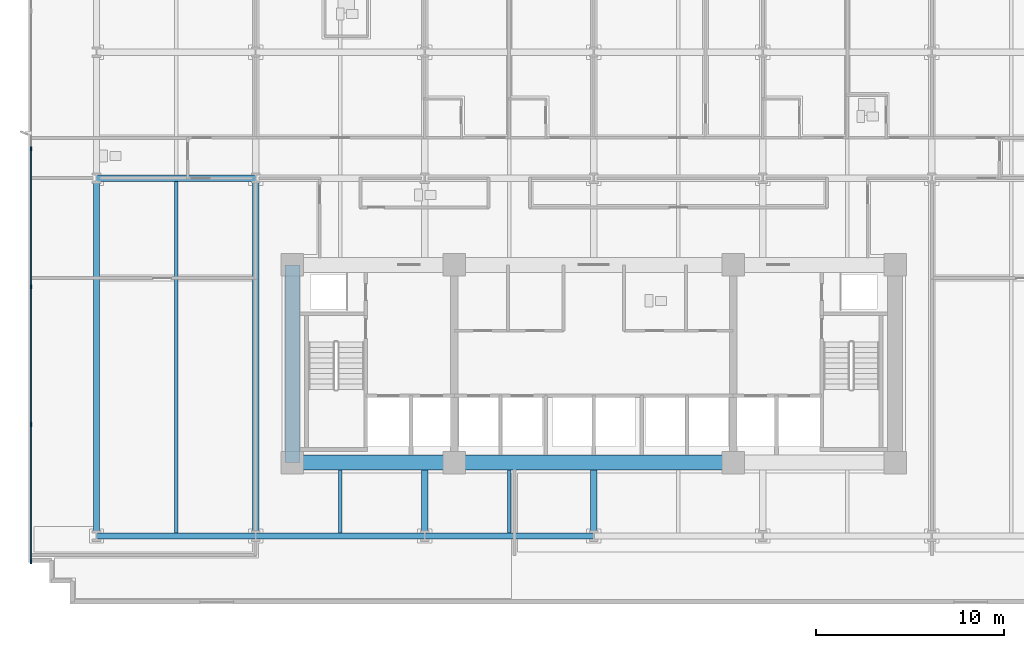
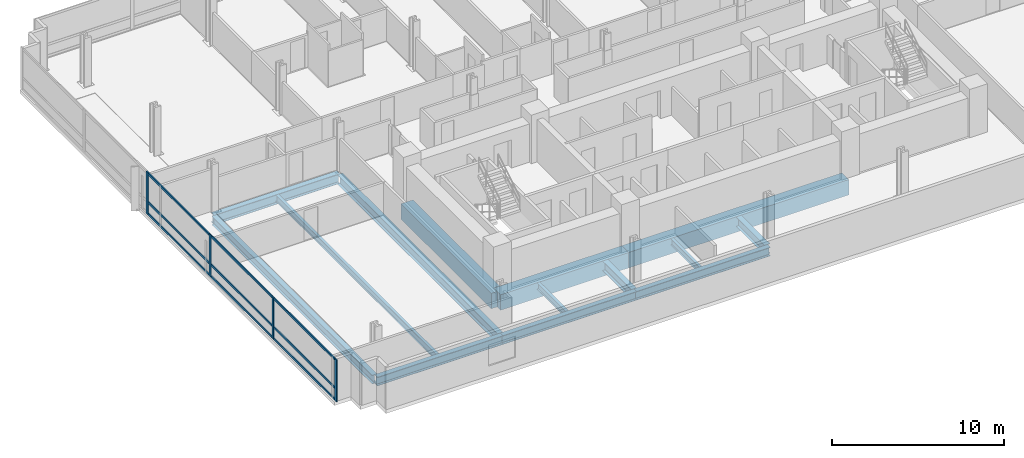
# One storey, part 2 of 15: 14 beams, 13 members, 1 element without a shape of its own.
"""IFC4 building model written with IfcOpenShell, lengths in metres."""

from ifc_helpers import new_model, si_unit, direction, frame, origin, origin_2d, place, context, subcontext, project, spatial, rectangle, i_section, extrude, material, material_profile, profile_set, type_object, element, aggregate, save


model = new_model("IFC4")

# Units and contexts
model_context = context("Model", 3, precision=1e-05, world=origin(), true_north=direction((0.0, 1.0)))
body_context = subcontext(model_context, "Body", "Model", "MODEL_VIEW")
ifc_project = project(units=[si_unit("LENGTHUNIT", "METRE"), si_unit("AREAUNIT", "SQUARE_METRE"), si_unit("VOLUMEUNIT", "CUBIC_METRE"), si_unit("PLANEANGLEUNIT", "RADIAN"), si_unit("MASSUNIT", "GRAM", prefix="KILO")], contexts=[model_context])

# Site, building, storey
site_placement = place(None, origin())
site = spatial("IfcSite", under=ifc_project, at=site_placement, CompositionType="ELEMENT")
building_placement = place(site_placement, origin())
building = spatial("IfcBuilding", under=site, at=building_placement, Name="Solmavex Isthmus Hotel", CompositionType="ELEMENT")
storey_placement = place(building_placement, frame((0.0, 0.0, 71.25)))
storey = spatial("IfcBuildingStorey", under=building, at=storey_placement, Name="L19", CompositionType="ELEMENT", Elevation=71.25)

# Beams
ifc_material_1 = material(Name="Steel ASTM A992 Grade 50", Category="steel")
ifc_material_profile_1 = material_profile(ifc_material_1, i_section(OverallWidth=0.354736328125, OverallDepth=0.695556640625, WebThickness=0.015380859375, FlangeThickness=0.02490234375, FilletRadius=0.017822265625, at=origin_2d()), Name="W27X146")
ifc_profile_set_1 = profile_set([ifc_material_profile_1], Name="Steel ASTM A992 Grade 50")
beam_type_1 = type_object("IfcBeamType", Name="BM-BG-W27X146", PredefinedType="BEAM", material=ifc_profile_set_1)
beam_1_placement = place(storey_placement, frame((-26.39990234375, 2.10009765625, -0.607666015625), z_axis=(1.0, 0.0, 0.0), x_axis=(0.0, 1.0, 0.0)))
element("IfcBeam", 1, at=beam_1_placement, inside=storey, type_object=beam_type_1, Name="Floor Girder L19-UG07", PredefinedType="BEAM", context=body_context, shape_type="SweptSolid", body=[
    extrude(i_section(OverallWidth=0.354736328125, OverallDepth=0.695556640625, WebThickness=0.015380859375, FlangeThickness=0.02490234375, FilletRadius=0.017822265625, at=origin_2d()), origin(), (0.0, 0.0, 1.0), 8.447998046875),
])
beam_2_placement = place(storey_placement, frame((-17.951904296875, -16.73681640625, -0.607666015625), z_axis=(0.0, 1.0, 0.0), x_axis=(-1.0, 0.0, 0.0)))
element("IfcBeam", 2, at=beam_2_placement, inside=storey, type_object=beam_type_1, Name="Floor Beam L19-VG28", PredefinedType="BEAM", context=body_context, shape_type="SweptSolid", body=[
    extrude(i_section(OverallWidth=0.354736328125, OverallDepth=0.695556640625, WebThickness=0.015380859375, FlangeThickness=0.02490234375, FilletRadius=0.017822265625, at=origin_2d()), origin(), (0.0, 0.0, 1.0), 18.659423828125),
])
for number, where, z_axis, x_axis, name in (
    (3, (-8.97607421875, -16.73681640625, -0.607666015625), (0.0, 1.0, 0.0), (-1.0, 0.0, 0.0), "Floor Beam L19-VG31"),
    (4, (0.0, -16.73681640625, -0.607666015625), (0.0, 1.0, 0.0), (-1.0, 0.0, 0.0), "Floor Beam L19-VG35"),
):
    element("IfcBeam", number, at=place(storey_placement, frame(where, z_axis=z_axis, x_axis=x_axis)), inside=storey, type_object=beam_type_1, Name=name, PredefinedType="BEAM", context=body_context, shape_type="SweptSolid", body=[
        extrude(i_section(OverallWidth=0.354736328125, OverallDepth=0.695556640625, WebThickness=0.015380859375, FlangeThickness=0.02490234375, FilletRadius=0.017822265625, at=origin_2d()), origin(), (0.0, 0.0, 1.0), 3.3369140625),
    ])
ifc_material_profile_2 = material_profile(ifc_material_1, i_section(OverallWidth=0.1904296875, OverallDepth=0.456787109375, WebThickness=0.009033203125, FlangeThickness=0.014404296875, FilletRadius=0.0126953125, at=origin_2d()), Name="W18X50")
ifc_profile_set_2 = profile_set([ifc_material_profile_2], Name="Steel ASTM A992 Grade 50")
beam_type_2 = type_object("IfcBeamType", Name="BM-BJ-W18X50", PredefinedType="JOIST", material=ifc_profile_set_2)
beam_3_placement = place(storey_placement, frame((-22.176025390625, -16.73681640625, -0.488525390625), z_axis=(0.0, 1.0, 0.0), x_axis=(-1.0, 0.0, 0.0)))
element("IfcBeam", 5, at=beam_3_placement, inside=storey, type_object=beam_type_2, Name="Secondary Floor Joist L19-J01", PredefinedType="JOIST", context=body_context, shape_type="SweptSolid", body=[
    extrude(i_section(OverallWidth=0.1904296875, OverallDepth=0.456787109375, WebThickness=0.009033203125, FlangeThickness=0.014404296875, FilletRadius=0.0126953125, at=origin_2d()), origin(), (0.0, 0.0, 1.0), 18.659423828125),
])
for number, where, z_axis, x_axis, name in (
    (6, (-13.464111328125, -16.73681640625, -0.488525390625), (0.0, 1.0, 0.0), (-1.0, 0.0, 0.0), "Secondary Floor Joist L19-J04"),
    (7, (-4.488037109375, -16.73681640625, -0.488525390625), (0.0, 1.0, 0.0), (-1.0, 0.0, 0.0), "Secondary Floor Joist L19-J08"),
):
    element("IfcBeam", number, at=place(storey_placement, frame(where, z_axis=z_axis, x_axis=x_axis)), inside=storey, type_object=beam_type_2, Name=name, PredefinedType="JOIST", context=body_context, shape_type="SweptSolid", body=[
        extrude(i_section(OverallWidth=0.1904296875, OverallDepth=0.456787109375, WebThickness=0.009033203125, FlangeThickness=0.014404296875, FilletRadius=0.0126953125, at=origin_2d()), origin(), (0.0, 0.0, 1.0), 3.3369140625),
    ])
ifc_material_2 = material(Name="Concrete C70/85", Category="concrete")
ifc_material_profile_3 = material_profile(ifc_material_2, rectangle(XDim=0.800048828125, YDim=1.10009765625, at=origin_2d()), Name="RC800X1100")
ifc_profile_set_3 = profile_set([ifc_material_profile_3], Name="Concrete C70/85")
beam_type_3 = type_object("IfcBeamType", Name="BM-CB-800X1100", PredefinedType="BEAM", material=ifc_profile_set_3)
beam_4_placement = place(storey_placement, frame((-16.0, -13.0, -0.81005859375), z_axis=(1.0, 0.0, 0.0), x_axis=(0.0, 1.0, 0.0)))
element("IfcBeam", 8, at=beam_4_placement, inside=storey, type_object=beam_type_3, Name="Core Coupling Beam L19-CB1", PredefinedType="BEAM", context=body_context, shape_type="SweptSolid", body=[
    extrude(rectangle(XDim=0.800048828125, YDim=1.10009765625, at=origin_2d()), origin(), (0.0, 0.0, 1.0), 8.60009765625),
])
beam_5_placement = place(storey_placement, frame((-7.39990234375, -13.0, -0.81005859375), z_axis=(1.0, 0.0, 0.0), x_axis=(0.0, 1.0, 0.0)))
element("IfcBeam", 9, at=beam_5_placement, inside=storey, type_object=beam_type_3, Name="Core Coupling Beam L19-CB2", PredefinedType="BEAM", context=body_context, shape_type="SweptSolid", body=[
    extrude(rectangle(XDim=0.800048828125, YDim=1.10009765625, at=origin_2d()), origin(), (0.0, 0.0, 1.0), 14.7998046875),
])
beam_6_placement = place(storey_placement, frame((-16.0, -13.0, -0.81005859375), z_axis=(0.0, 1.0, 0.0), x_axis=(-1.0, 0.0, 0.0)))
element("IfcBeam", 10, at=beam_6_placement, inside=storey, type_object=beam_type_3, Name="Core Coupling Beam L19-CB7", PredefinedType="BEAM", context=body_context, shape_type="SweptSolid", body=[
    extrude(rectangle(XDim=0.800048828125, YDim=1.10009765625, at=origin_2d()), origin(), (0.0, 0.0, 1.0), 10.5),
])
ifc_material_profile_4 = material_profile(ifc_material_1, i_section(OverallWidth=0.326416015625, OverallDepth=0.621826171875, WebThickness=0.015380859375, FlangeThickness=0.0244140625, FilletRadius=0.01513671875, at=origin_2d()), Name="W24X131")
ifc_profile_set_4 = profile_set([ifc_material_profile_4], Name="Steel ASTM A992 Grade 50")
beam_type_4 = type_object("IfcBeamType", Name="BM-SP-W24X131", PredefinedType="SPANDREL", material=ifc_profile_set_4)
beam_7_placement = place(storey_placement, frame((-26.39990234375, -16.89990234375, -0.57080078125), z_axis=(1.0, 0.0, 0.0), x_axis=(0.0, 1.0, 0.0)))
element("IfcBeam", 11, at=beam_7_placement, inside=storey, type_object=beam_type_4, Name="Floor Girder L19-UG01", PredefinedType="SPANDREL", context=body_context, shape_type="SweptSolid", body=[
    extrude(i_section(OverallWidth=0.326416015625, OverallDepth=0.621826171875, WebThickness=0.015380859375, FlangeThickness=0.0244140625, FilletRadius=0.01513671875, at=origin_2d()), origin(), (0.0, 0.0, 1.0), 8.447998046875),
])
beam_8_placement = place(storey_placement, frame((-17.951904296875, -16.89990234375, -0.57080078125), z_axis=(1.0, 0.0, 0.0), x_axis=(0.0, 1.0, 0.0)))
element("IfcBeam", 12, at=beam_8_placement, inside=storey, type_object=beam_type_4, Name="Floor Girder L19-UG02", PredefinedType="SPANDREL", context=body_context, shape_type="SweptSolid", body=[
    extrude(i_section(OverallWidth=0.326416015625, OverallDepth=0.621826171875, WebThickness=0.015380859375, FlangeThickness=0.0244140625, FilletRadius=0.01513671875, at=origin_2d()), origin(), (0.0, 0.0, 1.0), 8.975830078125),
])
beam_9_placement = place(storey_placement, frame((-8.97607421875, -16.89990234375, -0.57080078125), z_axis=(1.0, 0.0, 0.0), x_axis=(0.0, 1.0, 0.0)))
element("IfcBeam", 13, at=beam_9_placement, inside=storey, type_object=beam_type_4, Name="Floor Girder L19-UG03", PredefinedType="SPANDREL", context=body_context, shape_type="SweptSolid", body=[
    extrude(i_section(OverallWidth=0.326416015625, OverallDepth=0.621826171875, WebThickness=0.015380859375, FlangeThickness=0.0244140625, FilletRadius=0.01513671875, at=origin_2d()), origin(), (0.0, 0.0, 1.0), 8.97607421875),
])
beam_10_placement = place(storey_placement, frame((-26.39990234375, -16.73681640625, -0.57080078125), z_axis=(0.0, 1.0, 0.0), x_axis=(-1.0, 0.0, 0.0)))
element("IfcBeam", 14, at=beam_10_placement, inside=storey, type_object=beam_type_4, Name="Floor Beam L19-VG25", PredefinedType="SPANDREL", context=body_context, shape_type="SweptSolid", body=[
    extrude(i_section(OverallWidth=0.326416015625, OverallDepth=0.621826171875, WebThickness=0.015380859375, FlangeThickness=0.0244140625, FilletRadius=0.01513671875, at=origin_2d()), origin(), (0.0, 0.0, 1.0), 18.659423828125),
])

# Curtain wall, members
ifc_material_3 = material(Name="Aluminium alloy 6063-T6", Category="aluminium")
curtain_wall_type = type_object("IfcCurtainWallType", Name="CW-SYS-02", PredefinedType="NOTDEFINED", material=ifc_material_3)
curtain_wall_placement = place(storey_placement, origin())
curtain_wall = element("IfcCurtainWall", 15, at=curtain_wall_placement, inside=storey, type_object=curtain_wall_type, Name="Stick Curtain Wall CWL-L19-W1", PredefinedType="NOTDEFINED")
ifc_material_profile_5 = material_profile(ifc_material_3, rectangle(XDim=0.074951171875, YDim=0.219970703125, at=origin_2d()), Name="CWM-75X220")
ifc_profile_set_5 = profile_set([ifc_material_profile_5], Name="Aluminium alloy 6063-T6")
member_type_1 = type_object("IfcMemberType", Name="CW-SYS-02-MUL", PredefinedType="MULLION", material=ifc_profile_set_5)
member_1_placement = place(storey_placement, frame((-29.8798828125, -18.262451171875, 0.0), z_axis=(0.0, 0.0, 1.0), x_axis=(-1.0, 0.0, 0.0)))
member_1 = element("IfcMember", 16, at=member_1_placement, type_object=member_type_1, Name="CW-02 mullion 1", PredefinedType="MULLION", context=body_context, shape_type="SweptSolid", body=[
    extrude(rectangle(XDim=0.074951171875, YDim=0.219970703125, at=origin_2d()), origin(), (0.0, 0.0, 1.0), 3.0),
])
member_2_placement = place(storey_placement, frame((-29.8798828125, -10.97998046875, 0.0), z_axis=(0.0, 0.0, 1.0), x_axis=(-1.0, 0.0, 0.0)))
member_2 = element("IfcMember", 17, at=member_2_placement, type_object=member_type_1, Name="CW-02 mullion 2", PredefinedType="MULLION", context=body_context, shape_type="SweptSolid", body=[
    extrude(rectangle(XDim=0.074951171875, YDim=0.219970703125, at=origin_2d()), origin(), (0.0, 0.0, 1.0), 3.0),
])
member_3_placement = place(storey_placement, frame((-29.8798828125, -3.659912109375, 0.0), z_axis=(0.0, 0.0, 1.0), x_axis=(-1.0, 0.0, 0.0)))
member_3 = element("IfcMember", 18, at=member_3_placement, type_object=member_type_1, Name="CW-02 mullion 3", PredefinedType="MULLION", context=body_context, shape_type="SweptSolid", body=[
    extrude(rectangle(XDim=0.074951171875, YDim=0.219970703125, at=origin_2d()), origin(), (0.0, 0.0, 1.0), 3.0),
])
member_4_placement = place(storey_placement, frame((-29.8798828125, 3.659912109375, 0.0), z_axis=(0.0, 0.0, 1.0), x_axis=(-1.0, 0.0, 0.0)))
member_4 = element("IfcMember", 19, at=member_4_placement, type_object=member_type_1, Name="CW-02 mullion 4", PredefinedType="MULLION", context=body_context, shape_type="SweptSolid", body=[
    extrude(rectangle(XDim=0.074951171875, YDim=0.219970703125, at=origin_2d()), origin(), (0.0, 0.0, 1.0), 3.0),
])
ifc_material_profile_6 = material_profile(ifc_material_3, rectangle(XDim=0.074951171875, YDim=0.159912109375, at=origin_2d()), Name="CWT-75X160")
ifc_profile_set_6 = profile_set([ifc_material_profile_6], Name="Aluminium alloy 6063-T6")
member_type_2 = type_object("IfcMemberType", Name="CW-SYS-02-TRN", PredefinedType="USERDEFINED", material=ifc_profile_set_6)
member_5_placement = place(storey_placement, frame((-29.8798828125, -18.22509765625, 0.080078125), z_axis=(0.0, 1.0, 0.0), x_axis=(-1.0, 0.0, 0.0)))
member_5 = element("IfcMember", 20, at=member_5_placement, type_object=member_type_2, Name="CW-02 transom 1.1", ObjectType="TRANSOM", PredefinedType="USERDEFINED", context=body_context, shape_type="SweptSolid", body=[
    extrude(rectangle(XDim=0.074951171875, YDim=0.159912109375, at=origin_2d()), origin(), (0.0, 0.0, 1.0), 7.20751953125),
])
member_6_placement = place(storey_placement, frame((-29.8798828125, -18.22509765625, 0.89990234375), z_axis=(0.0, 1.0, 0.0), x_axis=(-1.0, 0.0, 0.0)))
member_6 = element("IfcMember", 21, at=member_6_placement, type_object=member_type_2, Name="CW-02 transom 1.2", ObjectType="TRANSOM", PredefinedType="USERDEFINED", context=body_context, shape_type="SweptSolid", body=[
    extrude(rectangle(XDim=0.074951171875, YDim=0.159912109375, at=origin_2d()), origin(), (0.0, 0.0, 1.0), 7.20751953125),
])
member_7_placement = place(storey_placement, frame((-29.8798828125, -18.22509765625, 2.919921875), z_axis=(0.0, 1.0, 0.0), x_axis=(-1.0, 0.0, 0.0)))
member_7 = element("IfcMember", 22, at=member_7_placement, type_object=member_type_2, Name="CW-02 transom 1.3", ObjectType="TRANSOM", PredefinedType="USERDEFINED", context=body_context, shape_type="SweptSolid", body=[
    extrude(rectangle(XDim=0.074951171875, YDim=0.159912109375, at=origin_2d()), origin(), (0.0, 0.0, 1.0), 7.20751953125),
])
member_8_placement = place(storey_placement, frame((-29.8798828125, -10.9423828125, 0.080078125), z_axis=(0.0, 1.0, 0.0), x_axis=(-1.0, 0.0, 0.0)))
member_8 = element("IfcMember", 23, at=member_8_placement, type_object=member_type_2, Name="CW-02 transom 2.1", ObjectType="TRANSOM", PredefinedType="USERDEFINED", context=body_context, shape_type="SweptSolid", body=[
    extrude(rectangle(XDim=0.074951171875, YDim=0.159912109375, at=origin_2d()), origin(), (0.0, 0.0, 1.0), 7.244873046875),
])
member_9_placement = place(storey_placement, frame((-29.8798828125, -10.9423828125, 0.89990234375), z_axis=(0.0, 1.0, 0.0), x_axis=(-1.0, 0.0, 0.0)))
member_9 = element("IfcMember", 24, at=member_9_placement, type_object=member_type_2, Name="CW-02 transom 2.2", ObjectType="TRANSOM", PredefinedType="USERDEFINED", context=body_context, shape_type="SweptSolid", body=[
    extrude(rectangle(XDim=0.074951171875, YDim=0.159912109375, at=origin_2d()), origin(), (0.0, 0.0, 1.0), 7.244873046875),
])
member_10_placement = place(storey_placement, frame((-29.8798828125, -10.9423828125, 2.919921875), z_axis=(0.0, 1.0, 0.0), x_axis=(-1.0, 0.0, 0.0)))
member_10 = element("IfcMember", 25, at=member_10_placement, type_object=member_type_2, Name="CW-02 transom 2.3", ObjectType="TRANSOM", PredefinedType="USERDEFINED", context=body_context, shape_type="SweptSolid", body=[
    extrude(rectangle(XDim=0.074951171875, YDim=0.159912109375, at=origin_2d()), origin(), (0.0, 0.0, 1.0), 7.244873046875),
])
member_11_placement = place(storey_placement, frame((-29.8798828125, -3.62255859375, 0.080078125), z_axis=(0.0, 1.0, 0.0), x_axis=(-1.0, 0.0, 0.0)))
member_11 = element("IfcMember", 26, at=member_11_placement, type_object=member_type_2, Name="CW-02 transom 3.1", ObjectType="TRANSOM", PredefinedType="USERDEFINED", context=body_context, shape_type="SweptSolid", body=[
    extrude(rectangle(XDim=0.074951171875, YDim=0.159912109375, at=origin_2d()), origin(), (0.0, 0.0, 1.0), 7.2451171875),
])
member_12_placement = place(storey_placement, frame((-29.8798828125, -3.62255859375, 0.89990234375), z_axis=(0.0, 1.0, 0.0), x_axis=(-1.0, 0.0, 0.0)))
member_12 = element("IfcMember", 27, at=member_12_placement, type_object=member_type_2, Name="CW-02 transom 3.2", ObjectType="TRANSOM", PredefinedType="USERDEFINED", context=body_context, shape_type="SweptSolid", body=[
    extrude(rectangle(XDim=0.074951171875, YDim=0.159912109375, at=origin_2d()), origin(), (0.0, 0.0, 1.0), 7.2451171875),
])
member_13_placement = place(storey_placement, frame((-29.8798828125, -3.62255859375, 2.919921875), z_axis=(0.0, 1.0, 0.0), x_axis=(-1.0, 0.0, 0.0)))
member_13 = element("IfcMember", 28, at=member_13_placement, type_object=member_type_2, Name="CW-02 transom 3.3", ObjectType="TRANSOM", PredefinedType="USERDEFINED", context=body_context, shape_type="SweptSolid", body=[
    extrude(rectangle(XDim=0.074951171875, YDim=0.159912109375, at=origin_2d()), origin(), (0.0, 0.0, 1.0), 7.2451171875),
])
aggregate(curtain_wall, [member_1, member_2, member_3, member_4, member_5, member_6, member_7, member_8, member_9, member_10, member_11, member_12, member_13])

save(model, "model.ifc")
